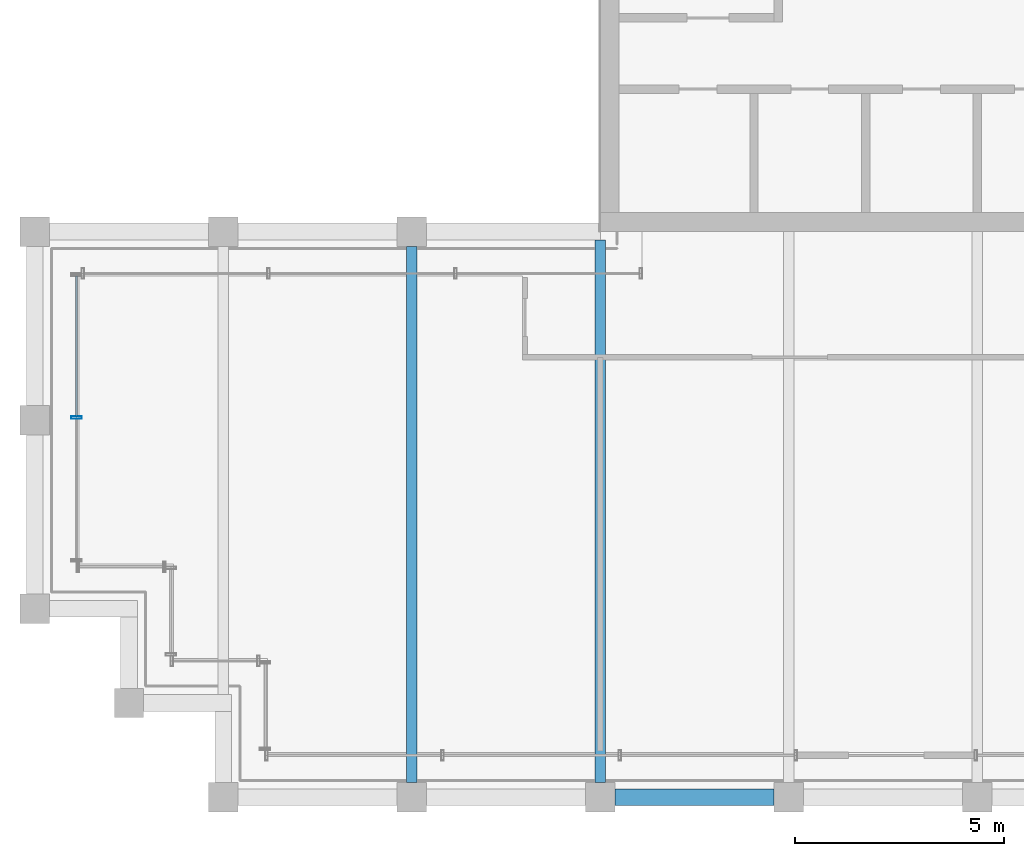
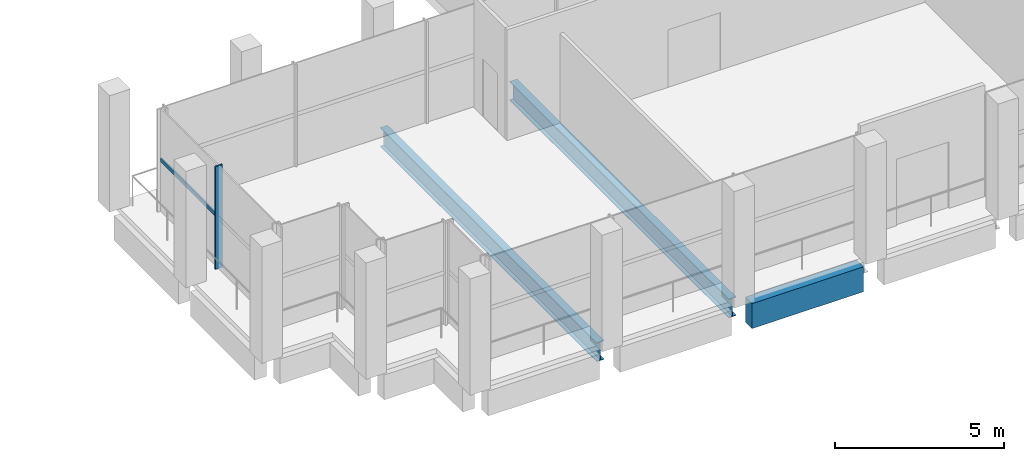
# One storey, part 3 of 17: 3 beams, 2 members, 1 element without a shape of its own.
"""IFC4 building model written with IfcOpenShell, lengths in metres."""

from ifc_helpers import new_model, si_unit, direction, frame, origin, origin_2d, place, context, subcontext, project, spatial, rectangle, hollow_rectangle, i_section, extrude, material, material_profile, profile_set, type_object, element, aggregate, save


model = new_model("IFC4")

# Units and contexts
model_context = context("Model", 3, precision=1e-05, world=origin(), true_north=direction((0.0, 1.0)))
body_context = subcontext(model_context, "Body", "Model", "MODEL_VIEW")
ifc_project = project(units=[si_unit("LENGTHUNIT", "METRE"), si_unit("AREAUNIT", "SQUARE_METRE"), si_unit("VOLUMEUNIT", "CUBIC_METRE"), si_unit("PLANEANGLEUNIT", "RADIAN"), si_unit("MASSUNIT", "GRAM", prefix="KILO")], contexts=[model_context])

# Site, building, storey
site_placement = place(None, origin())
site = spatial("IfcSite", under=ifc_project, at=site_placement, CompositionType="ELEMENT")
building_placement = place(site_placement, origin())
building = spatial("IfcBuilding", under=site, at=building_placement, Name="Altepetl Exchange Towers", CompositionType="ELEMENT")
storey_placement = place(building_placement, frame((0.0, 0.0, 259.39990234375)))
storey = spatial("IfcBuildingStorey", under=building, at=storey_placement, Name="L66", CompositionType="ELEMENT", Elevation=259.39990234375)

# Beams
ifc_material_1 = material(Name="Steel S355", Category="steel")
ifc_material_profile_1 = material_profile(ifc_material_1, i_section(OverallWidth=0.25390625, OverallDepth=0.68408203125, WebThickness=0.012451171875, FlangeThickness=0.018798828125, at=origin_2d()), Name="W27X94")
ifc_profile_set_1 = profile_set([ifc_material_profile_1], Name="Steel S355")
beam_type_1 = type_object("IfcBeamType", Name="Floor beam W27X94", PredefinedType="BEAM", material=ifc_profile_set_1)
beam_1_placement = place(storey_placement, frame((36.0, 27.35009765625, -0.516845703125), z_axis=(0.0, 1.0, 0.0), x_axis=(-1.0, 0.0, 0.0)))
element("IfcBeam", 1, at=beam_1_placement, inside=storey, type_object=beam_type_1, Name="bm:A:L66:013", PredefinedType="BEAM", context=body_context, shape_type="SweptSolid", body=[
    extrude(i_section(OverallWidth=0.25390625, OverallDepth=0.68408203125, WebThickness=0.012451171875, FlangeThickness=0.018798828125, at=origin_2d()), origin(), (0.0, 0.0, 1.0), 12.7998046875),
])
beam_2_placement = place(storey_placement, frame((40.5, 27.35009765625, -0.516845703125), z_axis=(0.0, 1.0, 0.0), x_axis=(-1.0, 0.0, 0.0)))
element("IfcBeam", 2, at=beam_2_placement, inside=storey, type_object=beam_type_1, Name="bm:A:L66:014", PredefinedType="BEAM", context=body_context, shape_type="SweptSolid", body=[
    extrude(i_section(OverallWidth=0.25390625, OverallDepth=0.68408203125, WebThickness=0.012451171875, FlangeThickness=0.018798828125, at=origin_2d()), origin(), (0.0, 0.0, 1.0), 12.949951171875),
])

# Curtain wall, member
ifc_material_2 = material(Name="Aluminium 6063-T6 glazing", Category="aluminium")
curtain_wall_type = type_object("IfcCurtainWallType", Name="Executive flush glazing system", PredefinedType="NOTDEFINED", material=ifc_material_2)
curtain_wall_placement = place(storey_placement, origin())
curtain_wall = element("IfcCurtainWall", 3, at=curtain_wall_placement, inside=storey, type_object=curtain_wall_type, Name="CW4 run", PredefinedType="NOTDEFINED")
ifc_material_3 = material(Name="Aluminium 6063-T6", Category="aluminium")
ifc_material_profile_2 = material_profile(ifc_material_3, hollow_rectangle(XDim=0.06005859375, YDim=0.25, WallThickness=0.0029296875, at=origin_2d()), Name="Mullion 60x250 hollow aluminium")
ifc_profile_set_2 = profile_set([ifc_material_profile_2], Name="Aluminium 6063-T6")
member_type_1 = type_object("IfcMemberType", Name="Mullion 60x250 hollow aluminium", PredefinedType="MULLION", material=ifc_profile_set_2)
member_1_placement = place(storey_placement, frame((28.0, 36.0625, 0.0), z_axis=(0.0, 0.0, 1.0), x_axis=(0.0, -1.0, 0.0)))
member_1 = element("IfcMember", 4, at=member_1_placement, type_object=member_type_1, Name="MU3 mullion", PredefinedType="MULLION", context=body_context, shape_type="SweptSolid", body=[
    extrude(hollow_rectangle(XDim=0.06005859375, YDim=0.25, WallThickness=0.0029296875, at=origin_2d()), origin(), (0.0, 0.0, 1.0), 3.7001953125),
])

# Beam
ifc_material_4 = material(Name="Concrete C50/60 precast with cantera blanca facing", Category="concrete")
ifc_material_profile_3 = material_profile(ifc_material_4, rectangle(XDim=0.39990234375, YDim=0.89990234375, at=origin_2d()), Name="400 x 900")
ifc_profile_set_3 = profile_set([ifc_material_profile_3], Name="Concrete C50/60 precast with cantera blanca facing")
beam_type_2 = type_object("IfcBeamType", Name="Spandrel beam 400x900 cantera blanca", PredefinedType="SPANDREL", material=ifc_profile_set_3)
beam_3_placement = place(storey_placement, frame((40.85009765625, 27.0, -0.625), z_axis=(1.0, 0.0, 0.0), x_axis=(0.0, 1.0, 0.0)))
element("IfcBeam", 5, at=beam_3_placement, inside=storey, type_object=beam_type_2, Name="sp:A:L66:002", PredefinedType="SPANDREL", context=body_context, shape_type="SweptSolid", body=[
    extrude(rectangle(XDim=0.39990234375, YDim=0.89990234375, at=origin_2d()), origin(), (0.0, 0.0, 1.0), 3.7998046875),
])

# Member
ifc_material_profile_4 = material_profile(ifc_material_3, hollow_rectangle(XDim=0.050048828125, YDim=0.139892578125, WallThickness=0.0029296875, at=origin_2d()), Name="Transom 50x140 hollow aluminium")
ifc_profile_set_4 = profile_set([ifc_material_profile_4], Name="Aluminium 6063-T6")
member_type_2 = type_object("IfcMemberType", Name="Transom 50x140 hollow aluminium", PredefinedType="USERDEFINED", material=ifc_profile_set_4)
member_2_placement = place(storey_placement, frame((28.0, 39.43994140625, 1.85009765625), z_axis=(0.0, -1.0, 0.0), x_axis=(1.0, 0.0, 0.0)))
member_2 = element("IfcMember", 6, at=member_2_placement, type_object=member_type_2, Name="TR2 transom", ObjectType="TRANSOM", PredefinedType="USERDEFINED", context=body_context, shape_type="SweptSolid", body=[
    extrude(hollow_rectangle(XDim=0.050048828125, YDim=0.139892578125, WallThickness=0.0029296875, at=origin_2d()), origin(), (0.0, 0.0, 1.0), 3.347412109375),
])

aggregate(curtain_wall, [member_1, member_2])

save(model, "model.ifc")
